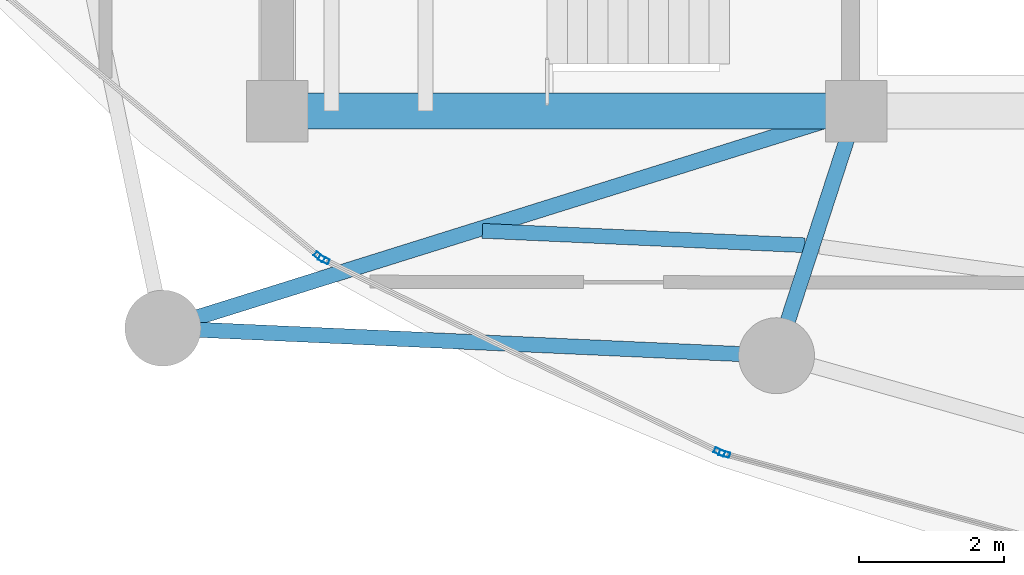
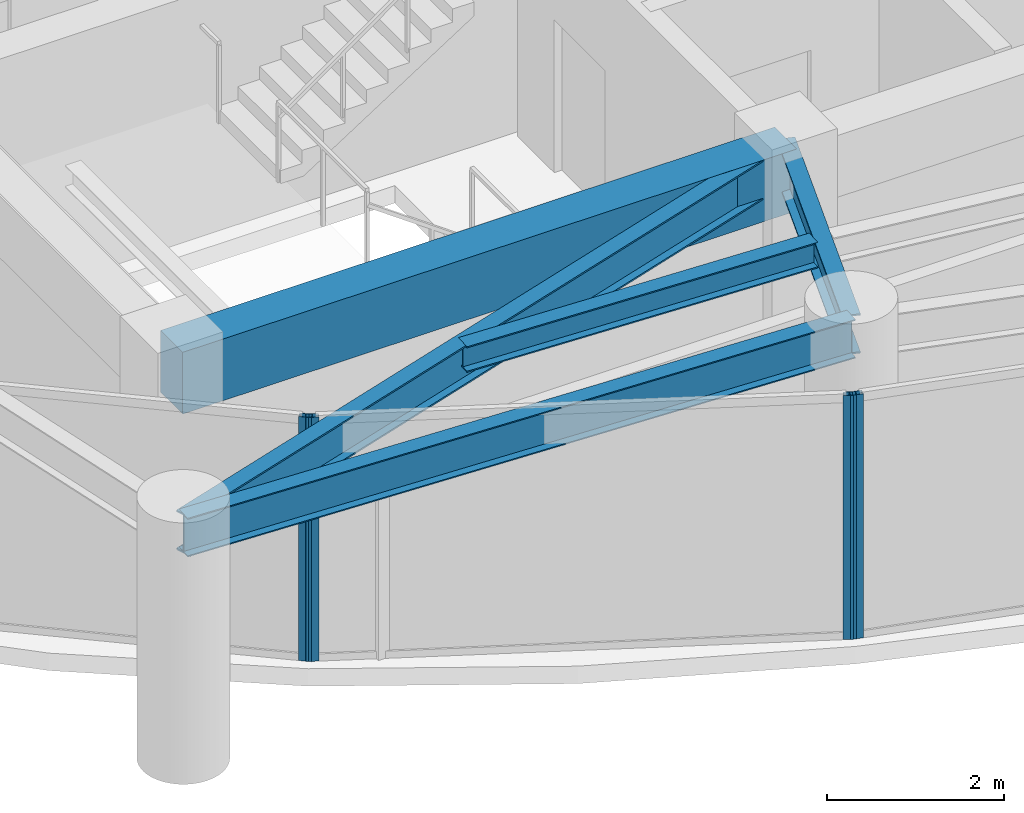
# One storey, part 2 of 28: 5 beams, 4 members, 3 elements without a shape of their own.
"""IFC4 building model written with IfcOpenShell, lengths in metres."""

from ifc_helpers import new_model, si_unit, direction, frame, origin, origin_2d, place, context, subcontext, project, spatial, rectangle, hollow_rectangle, i_section, extrude, material, layer, layer_set, material_profile, profile_set, type_object, element, aggregate, save


model = new_model("IFC4")

# Units and contexts
model_context = context("Model", 3, precision=1e-05, world=origin(), true_north=direction((0.0, 1.0)))
body_context = subcontext(model_context, "Body", "Model", "MODEL_VIEW")
ifc_project = project(units=[si_unit("LENGTHUNIT", "METRE"), si_unit("AREAUNIT", "SQUARE_METRE"), si_unit("VOLUMEUNIT", "CUBIC_METRE"), si_unit("PLANEANGLEUNIT", "RADIAN"), si_unit("MASSUNIT", "GRAM", prefix="KILO")], contexts=[model_context])

# Site, building, storey
site_placement = place(None, origin())
site = spatial("IfcSite", under=ifc_project, at=site_placement, CompositionType="ELEMENT")
building_placement = place(site_placement, origin())
building = spatial("IfcBuilding", under=site, at=building_placement, Name="Kazevale Care Tower and Concert Hall", CompositionType="ELEMENT")
storey_placement = place(building_placement, frame((0.0, 0.0, 228.0)))
storey = spatial("IfcBuildingStorey", under=building, at=storey_placement, Name="L60", CompositionType="ELEMENT", Elevation=228.0)

# Curtain wall, member
ifc_material_1 = material(Name="Aluminium 6063-T6 and Low-E Glass", Category="aluminium")
ifc_layer = layer(ifc_material_1, 0.179931640625)
ifc_layer_set = layer_set([ifc_layer], Name="Aluminium 6063-T6 and Low-E Glass")
curtain_wall_type = type_object("IfcCurtainWallType", Name="Sheltered Concave Balcony Curtain Wall CW-5", PredefinedType="NOTDEFINED", material=ifc_layer_set)
curtain_wall_1_placement = place(storey_placement, origin())
curtain_wall_1 = element("IfcCurtainWall", 1, at=curtain_wall_1_placement, inside=storey, type_object=curtain_wall_type, Name="cw:L60:f08", PredefinedType="NOTDEFINED")
ifc_material_2 = material(Name="Aluminium 6063-T6", Category="aluminium")
ifc_material_profile_1 = material_profile(ifc_material_2, hollow_rectangle(XDim=0.074951171875, YDim=0.14990234375, WallThickness=0.00390625, at=origin_2d()), Name="ALU75x150x4")
ifc_profile_set_1 = profile_set([ifc_material_profile_1], Name="Aluminium 6063-T6")
member_type = type_object("IfcMemberType", Name="CW-5 Mullion ALU75x150x4", PredefinedType="MULLION", material=ifc_profile_set_1)
member_1_placement = place(storey_placement, frame((28.18017578125, 18.863037109375, 0.0), z_axis=(0.0, 0.0, 1.0), x_axis=(-0.262848968947, -0.964836991167, 0.0)))
member_1 = element("IfcMember", 2, at=member_1_placement, type_object=member_type, Name="CW-5 mullion 2", PredefinedType="MULLION", context=body_context, shape_type="SweptSolid", body=[
    extrude(hollow_rectangle(XDim=0.074951171875, YDim=0.14990234375, WallThickness=0.00390625, at=origin_2d()), origin(), (0.0, 0.0, 1.0), 3.360107421875),
])
aggregate(curtain_wall_1, [member_1])

# Curtain wall, members
curtain_wall_2_placement = place(storey_placement, origin())
curtain_wall_2 = element("IfcCurtainWall", 3, at=curtain_wall_2_placement, inside=storey, type_object=curtain_wall_type, Name="cw:L60:f09", PredefinedType="NOTDEFINED")
member_2_placement = place(storey_placement, frame((28.1103515625, 18.889404296875, 0.0), z_axis=(0.0, 0.0, 1.0), x_axis=(-0.437238357087, -0.89934566163, 0.0)))
member_2 = element("IfcMember", 4, at=member_2_placement, type_object=member_type, Name="CW-5 mullion 1", PredefinedType="MULLION", context=body_context, shape_type="SweptSolid", body=[
    extrude(hollow_rectangle(XDim=0.074951171875, YDim=0.14990234375, WallThickness=0.00390625, at=origin_2d()), origin(), (0.0, 0.0, 1.0), 3.360107421875),
])
member_3_placement = place(storey_placement, frame((22.644775390625, 21.546630859375, 0.0), z_axis=(0.0, 0.0, 1.0), x_axis=(-0.437238357087, -0.89934566163, 0.0)))
member_3 = element("IfcMember", 5, at=member_3_placement, type_object=member_type, Name="CW-5 mullion 2", PredefinedType="MULLION", context=body_context, shape_type="SweptSolid", body=[
    extrude(hollow_rectangle(XDim=0.074951171875, YDim=0.14990234375, WallThickness=0.00390625, at=origin_2d()), origin(), (0.0, 0.0, 1.0), 3.360107421875),
])
aggregate(curtain_wall_2, [member_2, member_3])

# Curtain wall, member
curtain_wall_3_placement = place(storey_placement, origin())
curtain_wall_3 = element("IfcCurtainWall", 6, at=curtain_wall_3_placement, inside=storey, type_object=curtain_wall_type, Name="cw:L60:f10", PredefinedType="NOTDEFINED")
member_4_placement = place(storey_placement, frame((22.582275390625, 21.5869140625, 0.0), z_axis=(0.0, 0.0, 1.0), x_axis=(-0.639961217204, -0.768407210062, 0.0)))
member_4 = element("IfcMember", 7, at=member_4_placement, type_object=member_type, Name="CW-5 mullion 1", PredefinedType="MULLION", context=body_context, shape_type="SweptSolid", body=[
    extrude(hollow_rectangle(XDim=0.074951171875, YDim=0.14990234375, WallThickness=0.00390625, at=origin_2d()), origin(), (0.0, 0.0, 1.0), 3.360107421875),
])
aggregate(curtain_wall_3, [member_4])

# Beams
ifc_material_3 = material(Name="Concrete C60", Category="concrete")
ifc_material_profile_2 = material_profile(ifc_material_3, rectangle(XDim=0.5, YDim=0.85009765625, at=origin_2d()), Name="RC-B500x850")
ifc_profile_set_2 = profile_set([ifc_material_profile_2], Name="Concrete C60")
beam_type_1 = type_object("IfcBeamType", Name="Core Coupling Beam RC500x850", PredefinedType="LINTEL", material=ifc_profile_set_2)
beam_1_placement = place(storey_placement, frame((22.0, 23.60009765625, 2.93505859375), z_axis=(1.0, 0.0, 0.0), x_axis=(0.0, 1.0, 0.0)))
element("IfcBeam", 8, at=beam_1_placement, inside=storey, type_object=beam_type_1, Name="beam:L60:coretie:1", PredefinedType="LINTEL", context=body_context, shape_type="SweptSolid", body=[
    extrude(rectangle(XDim=0.5, YDim=0.85009765625, at=origin_2d()), origin(), (0.0, 0.0, 1.0), 8.0),
])
ifc_material_4 = material(Name="Steel ASTM A572 Gr 50", Category="steel")
ifc_material_profile_3 = material_profile(ifc_material_4, i_section(OverallWidth=0.2119140625, OverallDepth=0.5439453125, WebThickness=0.01318359375, FlangeThickness=0.021240234375, at=origin_2d()), Name="W530x123")
ifc_profile_set_3 = profile_set([ifc_material_profile_3], Name="Steel ASTM A572 Gr 50")
beam_type_2 = type_object("IfcBeamType", Name="Radial Floor Girder W530x123", PredefinedType="BEAM", material=ifc_profile_set_3)
beam_2_placement = place(storey_placement, frame((30.0, 23.60009765625, 3.087890625), z_axis=(-0.954303255322, -0.298839918486, 0.0), x_axis=(0.298839918486, -0.954303255322, 0.0)))
element("IfcBeam", 9, at=beam_2_placement, inside=storey, type_object=beam_type_2, Name="beam:L60:rad:10", PredefinedType="BEAM", context=body_context, shape_type="SweptSolid", body=[
    extrude(i_section(OverallWidth=0.2119140625, OverallDepth=0.5439453125, WebThickness=0.01318359375, FlangeThickness=0.021240234375, at=origin_2d()), origin(), (0.0, 0.0, 1.0), 10.038818359375),
])
beam_3_placement = place(storey_placement, frame((30.0, 23.60009765625, 3.087890625), z_axis=(-0.309482065101, -0.950905279921, 0.0), x_axis=(0.950905279921, -0.309482065101, 0.0)))
element("IfcBeam", 10, at=beam_3_placement, inside=storey, type_object=beam_type_2, Name="beam:L60:rad:11", PredefinedType="BEAM", context=body_context, shape_type="SweptSolid", body=[
    extrude(i_section(OverallWidth=0.2119140625, OverallDepth=0.5439453125, WebThickness=0.01318359375, FlangeThickness=0.021240234375, at=origin_2d()), origin(), (0.0, 0.0, 1.0), 3.5546875),
])
ifc_material_profile_4 = material_profile(ifc_material_4, i_section(OverallWidth=0.205078125, OverallDepth=0.35400390625, WebThickness=0.009521484375, FlangeThickness=0.016845703125, at=origin_2d()), Name="W360x79")
ifc_profile_set_4 = profile_set([ifc_material_profile_4], Name="Steel ASTM A572 Gr 50")
beam_type_3 = type_object("IfcBeamType", Name="Secondary Floor Joist W360x79", PredefinedType="JOIST", material=ifc_profile_set_4)
beam_4_placement = place(storey_placement, frame((24.8359375, 21.945068359375, 3.18310546875), z_axis=(0.999003687274, -0.044627713502, 0.0), x_axis=(0.044627713502, 0.999003687274, 0.0)))
element("IfcBeam", 11, at=beam_4_placement, inside=storey, type_object=beam_type_3, Name="beam:L60:joist:10", PredefinedType="JOIST", context=body_context, shape_type="SweptSolid", body=[
    extrude(i_section(OverallWidth=0.205078125, OverallDepth=0.35400390625, WebThickness=0.009521484375, FlangeThickness=0.016845703125, at=origin_2d()), origin(), (0.0, 0.0, 1.0), 4.45849609375),
])
ifc_material_profile_5 = material_profile(ifc_material_4, i_section(OverallWidth=0.208984375, OverallDepth=0.532958984375, WebThickness=0.01025390625, FlangeThickness=0.015625, at=origin_2d()), Name="W530x92")
ifc_profile_set_5 = profile_set([ifc_material_profile_5], Name="Steel ASTM A572 Gr 50")
beam_type_4 = type_object("IfcBeamType", Name="Upper Ring Beam W530x92", PredefinedType="BEAM", material=ifc_profile_set_5)
beam_5_placement = place(storey_placement, frame((20.419921875, 20.60009765625, 3.093505859375), z_axis=(0.998996808771, -0.044781425441, 0.0), x_axis=(0.044781425441, 0.998996808771, 0.0)))
element("IfcBeam", 12, at=beam_5_placement, inside=storey, type_object=beam_type_4, Name="beam:L60:ring:10", PredefinedType="BEAM", context=body_context, shape_type="SweptSolid", body=[
    extrude(i_section(OverallWidth=0.208984375, OverallDepth=0.532958984375, WebThickness=0.01025390625, FlangeThickness=0.015625, at=origin_2d()), origin(), (0.0, 0.0, 1.0), 8.488525390625),
])

save(model, "model.ifc")
